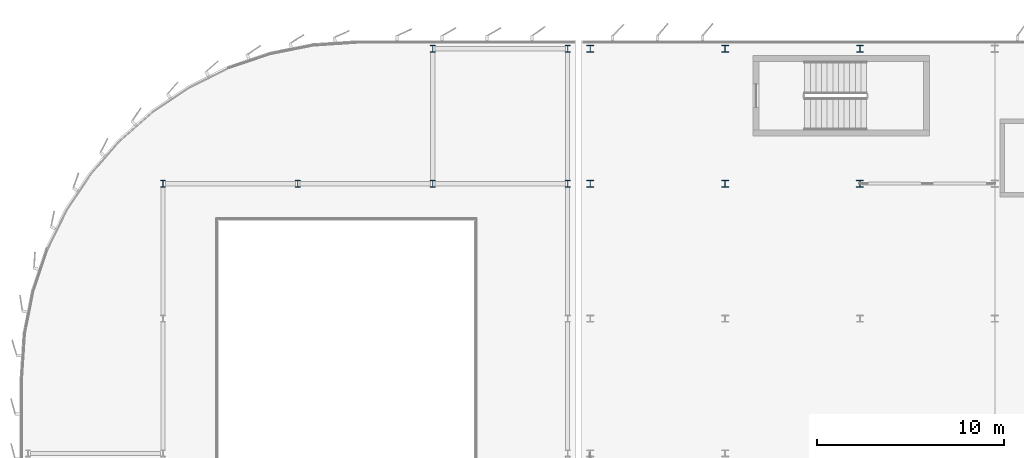
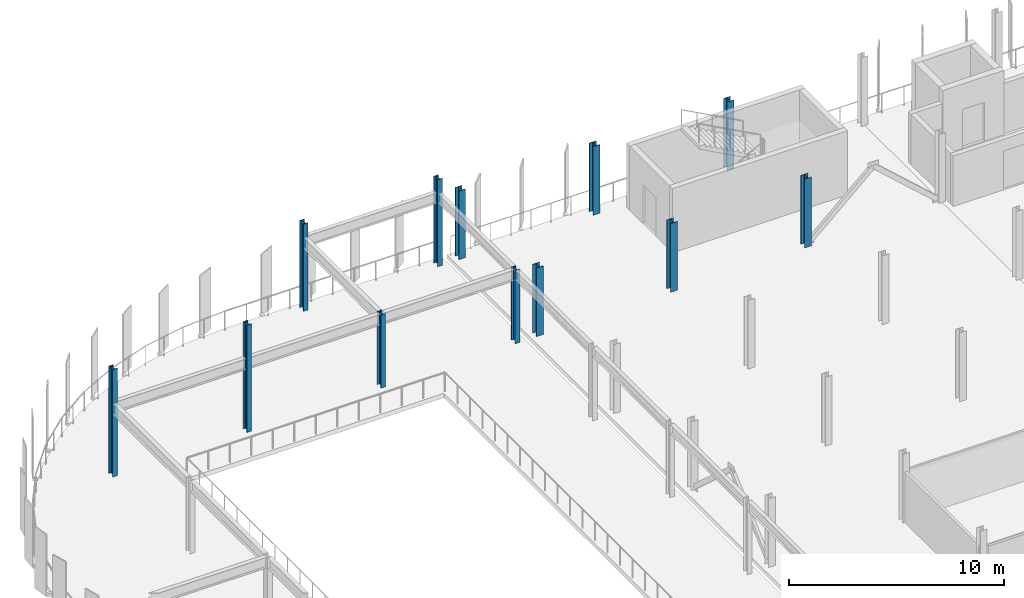
# One storey, part 5 of 40: 12 columns.
"""IFC4 building model written with IfcOpenShell, lengths in metres."""

import ifcopenshell
import ifcopenshell.guid

model = None  # the IFC model being written
_history = None  # IfcOwnerHistory: only IFC2X3 demands one
_inside = {}  # id of a spatial element -> (the spatial element, [elements in it])
_under = {}  # id of a project, library or spatial element -> (it, [spatial elements below it])
_declared = {}  # id of a project -> (the project, [libraries it declares])
_typed = {}  # id of a type object -> (the type object, [elements of that type])
_made_of = {}  # id of a material, layer set ... -> (it, [elements and type objects made of it])


def new_model(schema):
    """Start an empty IFC model of exactly this schema.

    Asked for "IFC4X3", IfcOpenShell would pick the latest addendum, in which some entities
    have other attributes; the version numbers below select the first issue.
    IFC2X3 requires an IfcOwnerHistory on every rooted entity: one is made here for all.
    """
    global model, _history
    if schema == "IFC4X3":
        model = ifcopenshell.file(schema_version=(4, 3, 0, 0))
    else:
        model = ifcopenshell.file(schema=schema)
    _inside.clear()
    _under.clear()
    _declared.clear()
    _typed.clear()
    _made_of.clear()
    _history = None
    if model.schema == "IFC2X3":
        org = make("IfcOrganization", Name="unknown")
        user = make(
            "IfcPersonAndOrganization",
            ThePerson=make("IfcPerson", FamilyName="unknown"),
            TheOrganization=org,
        )
        app = make(
            "IfcApplication",
            ApplicationDeveloper=org,
            Version="unknown",
            ApplicationFullName="unknown",
            ApplicationIdentifier="unknown",
        )
        _history = make(
            "IfcOwnerHistory",
            OwningUser=user,
            OwningApplication=app,
            ChangeAction="ADDED",
            CreationDate=0,
        )
    return model


def make(cls, **values):
    """One entity of the class cls with the attributes given. An attribute that is None is left unset."""
    return model.create_entity(
        cls, **{name: value for name, value in values.items() if value is not None}
    )


def rooted(cls, **values):
    """An entity with a GlobalId (a new one), such as an element, a storey or a relation."""
    return make(cls, GlobalId=ifcopenshell.guid.new(), OwnerHistory=_history, **values)


def si_unit(unit_type, name, prefix=None):
    """IfcSIUnit, for example si_unit("LENGTHUNIT", "METRE", prefix="MILLI")."""
    return make("IfcSIUnit", UnitType=unit_type, Prefix=prefix, Name=name)


def assignment(units):
    """IfcUnitAssignment: the units of a project."""
    return None if units is None else make("IfcUnitAssignment", Units=units)


def point(xyz):
    """IfcCartesianPoint."""
    return None if xyz is None else make("IfcCartesianPoint", Coordinates=xyz)


def direction(xyz):
    """IfcDirection."""
    return None if xyz is None else make("IfcDirection", DirectionRatios=xyz)


def frame(location, z_axis=None, x_axis=None):
    """IfcAxis2Placement3D, a coordinate frame: its origin and axes. An axis left out is left unset."""
    return make(
        "IfcAxis2Placement3D",
        Location=point(location),
        Axis=direction(z_axis),
        RefDirection=direction(x_axis),
    )


def frame_2d(location, x_axis=None):
    """IfcAxis2Placement2D, a coordinate frame in the plane: its origin and x axis."""
    return make(
        "IfcAxis2Placement2D", Location=point(location), RefDirection=direction(x_axis)
    )


def origin():
    """The frame at (0, 0, 0) with its axes left unset."""
    return frame((0.0, 0.0, 0.0))


def origin_2d():
    """The frame at (0, 0) in the plane with its x axis left unset."""
    return frame_2d((0.0, 0.0))


def place(relative_to, where):
    """IfcLocalPlacement: puts the frame where relative to a parent placement (None: the world)."""
    return make(
        "IfcLocalPlacement", PlacementRelTo=relative_to, RelativePlacement=where
    )


def context(
    kind, dimensions, precision=None, world=None, true_north=None, identifier=None
):
    """IfcGeometricRepresentationContext, for example the 3D "Model" context."""
    return make(
        "IfcGeometricRepresentationContext",
        ContextIdentifier=identifier,
        ContextType=kind,
        CoordinateSpaceDimension=dimensions,
        Precision=precision,
        WorldCoordinateSystem=world,
        TrueNorth=true_north,
    )


def subcontext(parent, identifier, kind, view, scale=None):
    """IfcGeometricRepresentationSubContext, for example "Body" below "Model"."""
    return make(
        "IfcGeometricRepresentationSubContext",
        ContextIdentifier=identifier,
        ContextType=kind,
        ParentContext=parent,
        TargetScale=scale,
        TargetView=view,
    )


def project(units=None, contexts=None):
    """IfcProject with its units and contexts."""
    return rooted(
        "IfcProject",
        Name="project",
        RepresentationContexts=contexts,
        UnitsInContext=assignment(units),
    )


def spatial(cls, under=None, at=None, **own):
    """A site, building, storey or space (cls), placed at a placement, below another one or the project."""
    s = rooted(cls, ObjectPlacement=at, **own)
    if under is not None:
        _under.setdefault(under.id(), (under, []))[1].append(s)
    return s


def profile(cls, at=None, kind="AREA", **sizes):
    """A parametric profile (cls). Its sizes go by their IFC names, for example OverallWidth=200.0."""
    return make(cls, ProfileType=kind, Position=at, **sizes)


def i_section(**sizes):
    """IfcIShapeProfileDef."""
    return profile("IfcIShapeProfileDef", **sizes)


def extrude(swept, where, along, depth):
    """IfcExtrudedAreaSolid: the profile swept, set in the frame where, extruded along a direction by depth."""
    return make(
        "IfcExtrudedAreaSolid",
        SweptArea=swept,
        Position=where,
        ExtrudedDirection=direction(along),
        Depth=depth,
    )


def shape(context_of_items, identifier, shape_type, items):
    """IfcShapeRepresentation: the items that make up one representation, for example the "Body"."""
    return make(
        "IfcShapeRepresentation",
        ContextOfItems=context_of_items,
        RepresentationIdentifier=identifier,
        RepresentationType=shape_type,
        Items=items,
    )


def material(Name=None, Category=None):
    """IfcMaterial."""
    return make("IfcMaterial", Name=Name, Category=Category)


def material_profile(
    of_material, cross_section, Name=None, Category=None, Priority=None
):
    """IfcMaterialProfile: a cross section and its material."""
    return make(
        "IfcMaterialProfile",
        Name=Name,
        Material=of_material,
        Profile=cross_section,
        Priority=Priority,
        Category=Category,
    )


def profile_set(profiles, Name=None, composite=None):
    """IfcMaterialProfileSet."""
    return make(
        "IfcMaterialProfileSet",
        Name=Name,
        MaterialProfiles=profiles,
        CompositeProfile=composite,
    )


def made_of(thing, what):
    """Note that an element or type object is made of a material, layer set ...; save() writes the relation."""
    if what is not None:
        _made_of.setdefault(what.id(), (what, []))[1].append(thing)
    return thing


def type_object(cls, material=None, **own):
    """A type object (cls), such as IfcWallType, which elements share."""
    return made_of(rooted(cls, **own), material)


def element(
    cls,
    number,
    at=None,
    inside=None,
    cuts=None,
    type_object=None,
    material=None,
    context=None,
    identifier="Body",
    shape_type=None,
    held_by="IfcProductDefinitionShape",
    body=None,
    shapes=None,
    **own,
):
    """One element of the class cls, such as IfcWall. Its Tag is "e" and its number.

    at: its placement. inside: the storey or other place that contains it. cuts: it is an
    opening in that element (IfcRelVoidsElement). A single representation is given by context,
    identifier, shape_type and body (its items); several are given by shapes. held_by: the class
    of the entity that holds the representations. save() writes the other relations.
    """
    e = rooted(cls, Tag="e%d" % number, ObjectPlacement=at, **own)
    if body is not None:
        shapes = [shape(context, identifier, shape_type, body)]
    if shapes is not None:
        e.Representation = make(held_by, Representations=shapes)
    if inside is not None:
        _inside.setdefault(inside.id(), (inside, []))[1].append(e)
    if cuts is not None:
        rooted(
            "IfcRelVoidsElement", RelatingBuildingElement=cuts, RelatedOpeningElement=e
        )
    if type_object is not None:
        _typed.setdefault(type_object.id(), (type_object, []))[1].append(e)
    return made_of(e, material)


def aggregate(whole, parts):
    """IfcRelAggregates: a whole, such as a stair, and the parts it consists of."""
    return rooted("IfcRelAggregates", RelatingObject=whole, RelatedObjects=parts)


def save(model, path):
    """Write the relations noted so far, then the file.

    IfcRelAggregates (storeys below a building ...), IfcRelContainedInSpatialStructure (elements
    in a storey), IfcRelDefinesByType, IfcRelAssociatesMaterial and IfcRelDeclares: one each for
    every whole, place, type object, material and project.
    """
    for whole, parts in _under.values():
        aggregate(whole, parts)
    for where, things in _inside.values():
        rooted(
            "IfcRelContainedInSpatialStructure",
            RelatedElements=things,
            RelatingStructure=where,
        )
    for kind, things in _typed.values():
        rooted("IfcRelDefinesByType", RelatedObjects=things, RelatingType=kind)
    for what, things in _made_of.values():
        rooted("IfcRelAssociatesMaterial", RelatedObjects=things, RelatingMaterial=what)
    for by, libraries in _declared.values():
        rooted("IfcRelDeclares", RelatingContext=by, RelatedDefinitions=libraries)
    model.write(path)


model = new_model("IFC4")

# Units and contexts
model_context = context("Model", 3, precision=1e-05, world=origin(), true_north=direction((0.0, 1.0)))
body_context = subcontext(model_context, "Body", "Model", "MODEL_VIEW")
ifc_project = project(units=[si_unit("LENGTHUNIT", "METRE"), si_unit("AREAUNIT", "SQUARE_METRE"), si_unit("VOLUMEUNIT", "CUBIC_METRE"), si_unit("PLANEANGLEUNIT", "RADIAN"), si_unit("MASSUNIT", "GRAM", prefix="KILO")], contexts=[model_context])

# Site, building, storey
site_placement = place(None, origin())
site = spatial("IfcSite", under=ifc_project, at=site_placement, CompositionType="ELEMENT")
building_placement = place(site_placement, origin())
building = spatial("IfcBuilding", under=site, at=building_placement, Name="Vaelcorin Mobility Hub", CompositionType="ELEMENT")
storey_placement = place(building_placement, frame((0.0, 0.0, 17.10009765625)))
storey = spatial("IfcBuildingStorey", under=building, at=storey_placement, Name="L04", CompositionType="ELEMENT", Elevation=17.10009765625)

# Columns
ifc_material = material(Name="Steel ASTM A992 Grade 50", Category="steel")
ifc_material_profile_1 = material_profile(ifc_material, i_section(OverallWidth=0.37109375, OverallDepth=0.363037109375, WebThickness=0.01318359375, FlangeThickness=0.021728515625, FilletRadius=0.014892578125, at=origin_2d()), Name="W14X109")
ifc_profile_set_1 = profile_set([ifc_material_profile_1], Name="Steel ASTM A992 Grade 50")
column_type_1 = type_object("IfcColumnType", Name="COL-W14X109", PredefinedType="COLUMN", material=ifc_profile_set_1)
for number, where, z_axis, x_axis, name in (
    (1, (36.0, 112.800048828125, 0.0), (0.0, 0.0, 1.0), (1.0, 0.0, 0.0), "Column V4-X01Y06 L04"),
    (2, (43.199951171875, 112.800048828125, 0.0), (0.0, 0.0, 1.0), (1.0, 0.0, 0.0), "Column V4-X02Y06 L04"),
    (3, (50.39990234375, 112.800048828125, 0.0), (0.0, 0.0, 1.0), (1.0, 0.0, 0.0), "Column V4-X03Y06 L04"),
):
    element("IfcColumn", number, at=place(storey_placement, frame(where, z_axis=z_axis, x_axis=x_axis)), inside=storey, type_object=column_type_1, Name=name, PredefinedType="COLUMN", context=body_context, shape_type="SweptSolid", body=[
        extrude(i_section(OverallWidth=0.37109375, OverallDepth=0.363037109375, WebThickness=0.01318359375, FlangeThickness=0.021728515625, FilletRadius=0.014892578125, at=origin_2d()), origin(), (0.0, 0.0, 1.0), 3.89990234375),
    ])
ifc_material_profile_2 = material_profile(ifc_material, i_section(OverallWidth=0.257080078125, OverallDepth=0.363037109375, WebThickness=0.012939453125, FlangeThickness=0.021728515625, FilletRadius=0.014892578125, at=origin_2d()), Name="W14X82")
ifc_profile_set_2 = profile_set([ifc_material_profile_2], Name="Steel ASTM A992 Grade 50")
column_type_2 = type_object("IfcColumnType", Name="COL-W14X82", PredefinedType="COLUMN", material=ifc_profile_set_2)
for number, where, z_axis, x_axis, name in (
    (4, (13.199951171875, 112.800048828125, 0.0), (0.0, 0.0, 1.0), (1.0, 0.0, 0.0), "Column V2W-G2x6 L04"),
    (5, (20.39990234375, 112.800048828125, 0.0), (0.0, 0.0, 1.0), (1.0, 0.0, 0.0), "Column V2W-G3x6 L04"),
):
    element("IfcColumn", number, at=place(storey_placement, frame(where, z_axis=z_axis, x_axis=x_axis)), inside=storey, type_object=column_type_2, Name=name, PredefinedType="COLUMN", context=body_context, shape_type="SweptSolid", body=[
        extrude(i_section(OverallWidth=0.257080078125, OverallDepth=0.363037109375, WebThickness=0.012939453125, FlangeThickness=0.021728515625, FilletRadius=0.014892578125, at=origin_2d()), origin(), (0.0, 0.0, 1.0), 6.095947265625),
    ])
column_1_placement = place(storey_placement, frame((27.60009765625, 112.800048828125, 0.0), z_axis=(0.0, 0.0, 1.0), x_axis=(1.0, 0.0, 0.0)))
element("IfcColumn", 6, at=column_1_placement, inside=storey, type_object=column_type_2, Name="Column V2W-G4x6 L04", PredefinedType="COLUMN", context=body_context, shape_type="SweptSolid", body=[
    extrude(i_section(OverallWidth=0.257080078125, OverallDepth=0.363037109375, WebThickness=0.012939453125, FlangeThickness=0.021728515625, FilletRadius=0.014892578125, at=origin_2d()), origin(), (0.0, 0.0, 1.0), 4.14990234375),
])
column_2_placement = place(storey_placement, frame((27.60009765625, 120.0, 0.0), z_axis=(0.0, 0.0, 1.0), x_axis=(1.0, 0.0, 0.0)))
element("IfcColumn", 7, at=column_2_placement, inside=storey, type_object=column_type_2, Name="Column V2W-G4x7 L04", PredefinedType="COLUMN", context=body_context, shape_type="SweptSolid", body=[
    extrude(i_section(OverallWidth=0.257080078125, OverallDepth=0.363037109375, WebThickness=0.012939453125, FlangeThickness=0.021728515625, FilletRadius=0.014892578125, at=origin_2d()), origin(), (0.0, 0.0, 1.0), 4.94384765625),
])
column_3_placement = place(storey_placement, frame((34.800048828125, 112.800048828125, 0.0), z_axis=(0.0, 0.0, 1.0), x_axis=(1.0, 0.0, 0.0)))
element("IfcColumn", 8, at=column_3_placement, inside=storey, type_object=column_type_2, Name="Column V2W-G5x6 L04", PredefinedType="COLUMN", context=body_context, shape_type="SweptSolid", body=[
    extrude(i_section(OverallWidth=0.257080078125, OverallDepth=0.363037109375, WebThickness=0.012939453125, FlangeThickness=0.021728515625, FilletRadius=0.014892578125, at=origin_2d()), origin(), (0.0, 0.0, 1.0), 4.14990234375),
])
column_4_placement = place(storey_placement, frame((34.800048828125, 120.0, 0.0), z_axis=(0.0, 0.0, 1.0), x_axis=(1.0, 0.0, 0.0)))
element("IfcColumn", 9, at=column_4_placement, inside=storey, type_object=column_type_2, Name="Column V2W-G5x7 L04", PredefinedType="COLUMN", context=body_context, shape_type="SweptSolid", body=[
    extrude(i_section(OverallWidth=0.257080078125, OverallDepth=0.363037109375, WebThickness=0.012939453125, FlangeThickness=0.021728515625, FilletRadius=0.014892578125, at=origin_2d()), origin(), (0.0, 0.0, 1.0), 4.94384765625),
])
ifc_material_profile_3 = material_profile(ifc_material, i_section(OverallWidth=0.367919921875, OverallDepth=0.35595703125, WebThickness=0.01123046875, FlangeThickness=0.01806640625, FilletRadius=0.014892578125, at=origin_2d()), Name="W14X90")
ifc_profile_set_3 = profile_set([ifc_material_profile_3], Name="Steel ASTM A992 Grade 50")
column_type_3 = type_object("IfcColumnType", Name="COL-W14X90", PredefinedType="COLUMN", material=ifc_profile_set_3)
for number, where, z_axis, x_axis, name in (
    (10, (36.0, 120.0, 0.0), (0.0, 0.0, 1.0), (1.0, 0.0, 0.0), "Column V4-X01Y07 L04"),
    (11, (43.199951171875, 120.0, 0.0), (0.0, 0.0, 1.0), (1.0, 0.0, 0.0), "Column V4-X02Y07 L04"),
    (12, (50.39990234375, 120.0, 0.0), (0.0, 0.0, 1.0), (1.0, 0.0, 0.0), "Column V4-X03Y07 L04"),
):
    element("IfcColumn", number, at=place(storey_placement, frame(where, z_axis=z_axis, x_axis=x_axis)), inside=storey, type_object=column_type_3, Name=name, PredefinedType="COLUMN", context=body_context, shape_type="SweptSolid", body=[
        extrude(i_section(OverallWidth=0.367919921875, OverallDepth=0.35595703125, WebThickness=0.01123046875, FlangeThickness=0.01806640625, FilletRadius=0.014892578125, at=origin_2d()), origin(), (0.0, 0.0, 1.0), 3.89990234375),
    ])

save(model, "model.ifc")
